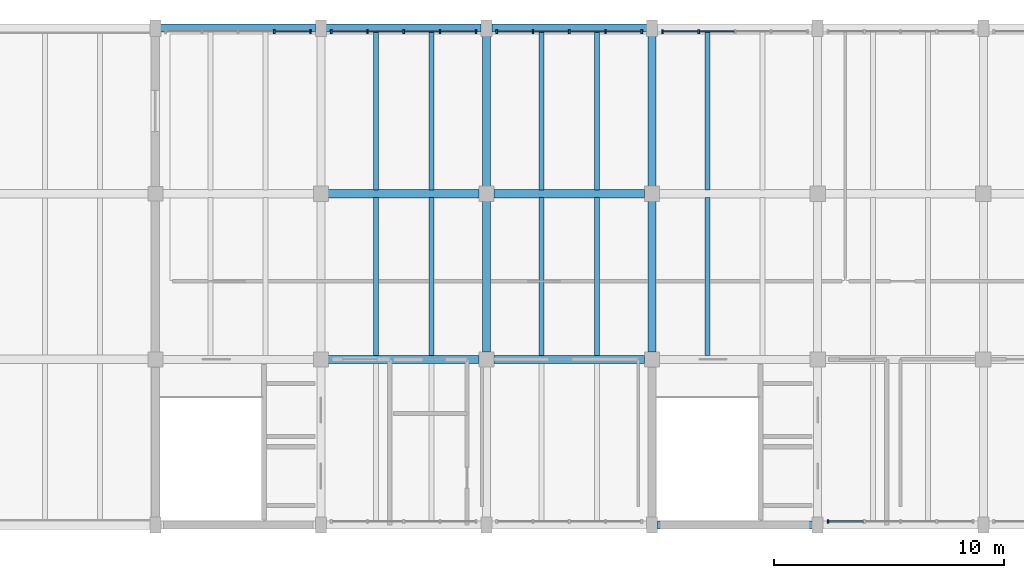
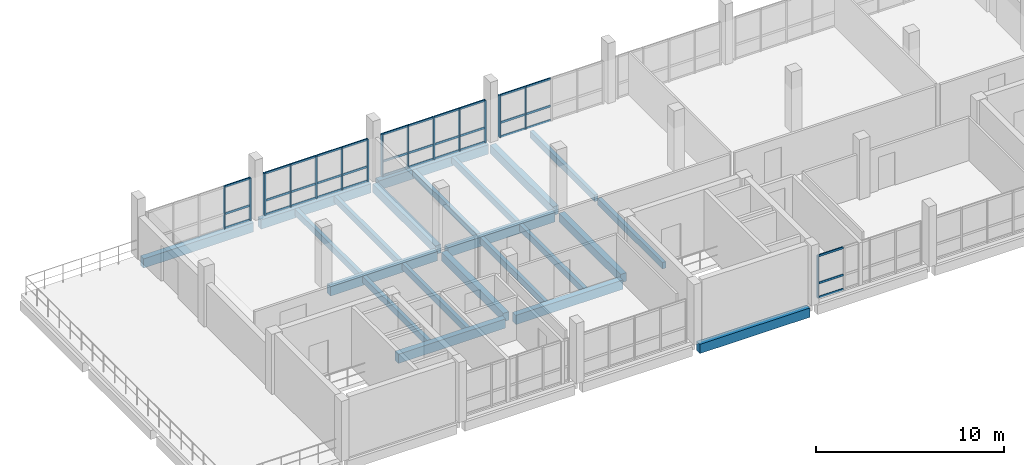
# One storey, part 3 of 10: 51 members, 22 beams, 5 elements without a shape of their own.
"""IFC4 building model written with IfcOpenShell, lengths in metres."""

from ifc_helpers import new_model, si_unit, direction, frame, origin, origin_2d, place, context, subcontext, project, spatial, rectangle, extrude, material, material_profile, profile_set, type_object, element, aggregate, save


model = new_model("IFC4")

# Units and contexts
model_context = context("Model", 3, precision=1e-05, world=origin(), true_north=direction((0.0, 1.0)))
body_context = subcontext(model_context, "Body", "Model", "MODEL_VIEW")
ifc_project = project(units=[si_unit("LENGTHUNIT", "METRE"), si_unit("AREAUNIT", "SQUARE_METRE"), si_unit("VOLUMEUNIT", "CUBIC_METRE"), si_unit("PLANEANGLEUNIT", "RADIAN"), si_unit("MASSUNIT", "GRAM", prefix="KILO")], contexts=[model_context])

# Site, building, storey
site_placement = place(None, origin())
site = spatial("IfcSite", under=ifc_project, at=site_placement, CompositionType="ELEMENT")
building_placement = place(site_placement, origin())
building = spatial("IfcBuilding", under=site, at=building_placement, Name="Qiaolan Assembly House", CompositionType="ELEMENT")
storey_placement = place(building_placement, frame((0.0, 0.0, 30.300048828125)))
storey = spatial("IfcBuildingStorey", under=building, at=storey_placement, Name="L07", CompositionType="ELEMENT", Elevation=30.300048828125)

# Beams
ifc_material_1 = material(Name="Concrete C40/50", Category="concrete")
ifc_material_profile_1 = material_profile(ifc_material_1, rectangle(XDim=0.35009765625, YDim=0.550048828125, at=origin_2d()), Name="RCB 350x550")
ifc_profile_set_1 = profile_set([ifc_material_profile_1], Name="Concrete C40/50")
beam_type_1 = type_object("IfcBeamType", Name="BM-RC-350x550", PredefinedType="BEAM", material=ifc_profile_set_1)
beam_1_placement = place(storey_placement, frame((57.60009765625, 101.1201171875, -0.505126953125), z_axis=(0.0, 1.0, 0.0), x_axis=(-1.0, 0.0, 0.0)))
element("IfcBeam", 1, at=beam_1_placement, inside=storey, type_object=beam_type_1, Name="GB-09 beam BMY-NW-L07-02-01", PredefinedType="BEAM", context=body_context, shape_type="SweptSolid", body=[
    extrude(rectangle(XDim=0.35009765625, YDim=0.550048828125, at=origin_2d()), origin(), (0.0, 0.0, 1.0), 6.559814453125),
])
beam_2_placement = place(storey_placement, frame((57.60009765625, 108.320068359375, -0.505126953125), z_axis=(0.0, 1.0, 0.0), x_axis=(-1.0, 0.0, 0.0)))
element("IfcBeam", 2, at=beam_2_placement, inside=storey, type_object=beam_type_1, Name="GB-09 beam BMY-NW-L07-02-02", PredefinedType="BEAM", context=body_context, shape_type="SweptSolid", body=[
    extrude(rectangle(XDim=0.35009765625, YDim=0.550048828125, at=origin_2d()), origin(), (0.0, 0.0, 1.0), 6.64990234375),
])
beam_3_placement = place(storey_placement, frame((64.800048828125, 101.1201171875, -0.505126953125), z_axis=(0.0, 1.0, 0.0), x_axis=(-1.0, 0.0, 0.0)))
element("IfcBeam", 3, at=beam_3_placement, inside=storey, type_object=beam_type_1, Name="GB-09 beam BMY-NW-L07-03-01", PredefinedType="BEAM", context=body_context, shape_type="SweptSolid", body=[
    extrude(rectangle(XDim=0.35009765625, YDim=0.550048828125, at=origin_2d()), origin(), (0.0, 0.0, 1.0), 6.559814453125),
])
beam_4_placement = place(storey_placement, frame((64.800048828125, 108.320068359375, -0.505126953125), z_axis=(0.0, 1.0, 0.0), x_axis=(-1.0, 0.0, 0.0)))
element("IfcBeam", 4, at=beam_4_placement, inside=storey, type_object=beam_type_1, Name="GB-09 beam BMY-NW-L07-03-02", PredefinedType="BEAM", context=body_context, shape_type="SweptSolid", body=[
    extrude(rectangle(XDim=0.35009765625, YDim=0.550048828125, at=origin_2d()), origin(), (0.0, 0.0, 1.0), 6.64990234375),
])
ifc_material_profile_2 = material_profile(ifc_material_1, rectangle(XDim=0.35009765625, YDim=0.60009765625, at=origin_2d()), Name="RCB 350x600")
ifc_profile_set_2 = profile_set([ifc_material_profile_2], Name="Concrete C40/50")
beam_type_2 = type_object("IfcBeamType", Name="BM-RC-350x600", PredefinedType="BEAM", material=ifc_profile_set_2)
beam_5_placement = place(storey_placement, frame((65.030029296875, 93.60009765625, -0.530029296875), z_axis=(1.0, 0.0, 0.0), x_axis=(0.0, 1.0, 0.0)))
element("IfcBeam", 5, at=beam_5_placement, inside=storey, type_object=beam_type_2, Name="GB-08 beam BMX-NW-L07-03-00", PredefinedType="BEAM", context=body_context, shape_type="SweptSolid", body=[
    extrude(rectangle(XDim=0.35009765625, YDim=0.60009765625, at=origin_2d()), origin(), (0.0, 0.0, 1.0), 6.739990234375),
])
for number, where, z_axis, x_axis, name in (
    (6, (50.719970703125, 100.800048828125, -0.530029296875), (1.0, 0.0, 0.0), (0.0, 1.0, 0.0), "GB-08 beam BMX-NW-L07-01-01"),
    (7, (57.919921875, 100.800048828125, -0.530029296875), (1.0, 0.0, 0.0), (0.0, 1.0, 0.0), "GB-08 beam BMX-NW-L07-02-01"),
    (8, (50.719970703125, 108.0, -0.530029296875), (1.0, 0.0, 0.0), (0.0, 1.0, 0.0), "GB-08 beam BMX-NW-L07-01-02"),
    (9, (57.919921875, 108.0, -0.530029296875), (1.0, 0.0, 0.0), (0.0, 1.0, 0.0), "GB-08 beam BMX-NW-L07-02-02"),
):
    element("IfcBeam", number, at=place(storey_placement, frame(where, z_axis=z_axis, x_axis=x_axis)), inside=storey, type_object=beam_type_2, Name=name, PredefinedType="BEAM", context=body_context, shape_type="SweptSolid", body=[
        extrude(rectangle(XDim=0.35009765625, YDim=0.60009765625, at=origin_2d()), origin(), (0.0, 0.0, 1.0), 6.56005859375),
    ])
beam_6_placement = place(storey_placement, frame((43.429931640625, 115.199951171875, -0.530029296875), z_axis=(1.0, 0.0, 0.0), x_axis=(0.0, 1.0, 0.0)))
element("IfcBeam", 10, at=beam_6_placement, inside=storey, type_object=beam_type_2, Name="GB-08 beam BMX-NW-L07-00-03", PredefinedType="BEAM", context=body_context, shape_type="SweptSolid", body=[
    extrude(rectangle(XDim=0.35009765625, YDim=0.60009765625, at=origin_2d()), origin(), (0.0, 0.0, 1.0), 6.739990234375),
])
beam_7_placement = place(storey_placement, frame((50.6298828125, 115.199951171875, -0.530029296875), z_axis=(1.0, 0.0, 0.0), x_axis=(0.0, 1.0, 0.0)))
element("IfcBeam", 11, at=beam_7_placement, inside=storey, type_object=beam_type_2, Name="GB-08 beam BMX-NW-L07-01-03", PredefinedType="BEAM", context=body_context, shape_type="SweptSolid", body=[
    extrude(rectangle(XDim=0.35009765625, YDim=0.60009765625, at=origin_2d()), origin(), (0.0, 0.0, 1.0), 6.740234375),
])
beam_8_placement = place(storey_placement, frame((57.830078125, 115.199951171875, -0.530029296875), z_axis=(1.0, 0.0, 0.0), x_axis=(0.0, 1.0, 0.0)))
element("IfcBeam", 12, at=beam_8_placement, inside=storey, type_object=beam_type_2, Name="GB-08 beam BMX-NW-L07-02-03", PredefinedType="BEAM", context=body_context, shape_type="SweptSolid", body=[
    extrude(rectangle(XDim=0.35009765625, YDim=0.60009765625, at=origin_2d()), origin(), (0.0, 0.0, 1.0), 6.739990234375),
])

# Curtain wall, members
ifc_material_2 = material(Name="Anodised bronze aluminium", Category="aluminium")
curtain_wall_type = type_object("IfcCurtainWallType", Name="CW-ATTIC-390", PredefinedType="NOTDEFINED", material=ifc_material_2)
curtain_wall_1_placement = place(storey_placement, origin())
curtain_wall_1 = element("IfcCurtainWall", 13, at=curtain_wall_1_placement, inside=storey, type_object=curtain_wall_type, Name="CW-04 NW Attic North glazed colonnade bay 1", PredefinedType="NOTDEFINED")
ifc_material_profile_3 = material_profile(ifc_material_2, rectangle(XDim=0.073974609375, YDim=0.1650390625, at=origin_2d()), Name="MUL 74x165")
ifc_profile_set_3 = profile_set([ifc_material_profile_3], Name="Anodised bronze aluminium")
member_type_1 = type_object("IfcMemberType", Name="CW-ATTIC-390-MUL", PredefinedType="MULLION", material=ifc_profile_set_3)
member_1_placement = place(storey_placement, frame((49.949951171875, 115.050048828125, 0.0), z_axis=(0.0, 0.0, 1.0), x_axis=(-1.0, 0.0, 0.0)))
member_1 = element("IfcMember", 14, at=member_1_placement, type_object=member_type_1, Name="ML-05 mullion CW-NW-ATTIC-N-00-1", PredefinedType="MULLION", context=body_context, shape_type="SweptSolid", body=[
    extrude(rectangle(XDim=0.073974609375, YDim=0.1650390625, at=origin_2d()), origin(), (0.0, 0.0, 1.0), 2.739990234375),
])
member_2_placement = place(storey_placement, frame((48.375, 115.050048828125, 0.0), z_axis=(0.0, 0.0, 1.0), x_axis=(-1.0, 0.0, 0.0)))
member_2 = element("IfcMember", 15, at=member_2_placement, type_object=member_type_1, Name="ML-05 mullion CW-NW-ATTIC-N-00-2", PredefinedType="MULLION", context=body_context, shape_type="SweptSolid", body=[
    extrude(rectangle(XDim=0.073974609375, YDim=0.1650390625, at=origin_2d()), origin(), (0.0, 0.0, 1.0), 2.739990234375),
])

curtain_wall_2_placement = place(storey_placement, origin())
curtain_wall_2 = element("IfcCurtainWall", 16, at=curtain_wall_2_placement, inside=storey, type_object=curtain_wall_type, Name="CW-04 NW Attic North glazed colonnade bay 2", PredefinedType="NOTDEFINED")
member_3_placement = place(storey_placement, frame((57.14990234375, 115.050048828125, 0.0), z_axis=(0.0, 0.0, 1.0), x_axis=(-1.0, 0.0, 0.0)))
member_3 = element("IfcMember", 17, at=member_3_placement, type_object=member_type_1, Name="ML-05 mullion CW-NW-ATTIC-N-01-1", PredefinedType="MULLION", context=body_context, shape_type="SweptSolid", body=[
    extrude(rectangle(XDim=0.073974609375, YDim=0.1650390625, at=origin_2d()), origin(), (0.0, 0.0, 1.0), 2.739990234375),
])
member_4_placement = place(storey_placement, frame((55.574951171875, 115.050048828125, 0.0), z_axis=(0.0, 0.0, 1.0), x_axis=(-1.0, 0.0, 0.0)))
member_4 = element("IfcMember", 18, at=member_4_placement, type_object=member_type_1, Name="ML-05 mullion CW-NW-ATTIC-N-01-2", PredefinedType="MULLION", context=body_context, shape_type="SweptSolid", body=[
    extrude(rectangle(XDim=0.073974609375, YDim=0.1650390625, at=origin_2d()), origin(), (0.0, 0.0, 1.0), 2.739990234375),
])
member_5_placement = place(storey_placement, frame((54.0, 115.050048828125, 0.0), z_axis=(0.0, 0.0, 1.0), x_axis=(-1.0, 0.0, 0.0)))
member_5 = element("IfcMember", 19, at=member_5_placement, type_object=member_type_1, Name="ML-05 mullion CW-NW-ATTIC-N-01-3", PredefinedType="MULLION", context=body_context, shape_type="SweptSolid", body=[
    extrude(rectangle(XDim=0.073974609375, YDim=0.1650390625, at=origin_2d()), origin(), (0.0, 0.0, 1.0), 2.739990234375),
])
member_6_placement = place(storey_placement, frame((52.425048828125, 115.050048828125, 0.0), z_axis=(0.0, 0.0, 1.0), x_axis=(-1.0, 0.0, 0.0)))
member_6 = element("IfcMember", 20, at=member_6_placement, type_object=member_type_1, Name="ML-05 mullion CW-NW-ATTIC-N-01-4", PredefinedType="MULLION", context=body_context, shape_type="SweptSolid", body=[
    extrude(rectangle(XDim=0.073974609375, YDim=0.1650390625, at=origin_2d()), origin(), (0.0, 0.0, 1.0), 2.739990234375),
])
member_7_placement = place(storey_placement, frame((50.85009765625, 115.050048828125, 0.0), z_axis=(0.0, 0.0, 1.0), x_axis=(-1.0, 0.0, 0.0)))
member_7 = element("IfcMember", 21, at=member_7_placement, type_object=member_type_1, Name="ML-05 mullion CW-NW-ATTIC-N-01-5", PredefinedType="MULLION", context=body_context, shape_type="SweptSolid", body=[
    extrude(rectangle(XDim=0.073974609375, YDim=0.1650390625, at=origin_2d()), origin(), (0.0, 0.0, 1.0), 2.739990234375),
])

curtain_wall_3_placement = place(storey_placement, origin())
curtain_wall_3 = element("IfcCurtainWall", 22, at=curtain_wall_3_placement, inside=storey, type_object=curtain_wall_type, Name="CW-04 NW Attic North glazed colonnade bay 3", PredefinedType="NOTDEFINED")
member_8_placement = place(storey_placement, frame((64.35009765625, 115.050048828125, 0.0), z_axis=(0.0, 0.0, 1.0), x_axis=(-1.0, 0.0, 0.0)))
member_8 = element("IfcMember", 23, at=member_8_placement, type_object=member_type_1, Name="ML-05 mullion CW-NW-ATTIC-N-02-1", PredefinedType="MULLION", context=body_context, shape_type="SweptSolid", body=[
    extrude(rectangle(XDim=0.073974609375, YDim=0.1650390625, at=origin_2d()), origin(), (0.0, 0.0, 1.0), 2.739990234375),
])
member_9_placement = place(storey_placement, frame((62.77490234375, 115.050048828125, 0.0), z_axis=(0.0, 0.0, 1.0), x_axis=(-1.0, 0.0, 0.0)))
member_9 = element("IfcMember", 24, at=member_9_placement, type_object=member_type_1, Name="ML-05 mullion CW-NW-ATTIC-N-02-2", PredefinedType="MULLION", context=body_context, shape_type="SweptSolid", body=[
    extrude(rectangle(XDim=0.073974609375, YDim=0.1650390625, at=origin_2d()), origin(), (0.0, 0.0, 1.0), 2.739990234375),
])
member_10_placement = place(storey_placement, frame((61.199951171875, 115.050048828125, 0.0), z_axis=(0.0, 0.0, 1.0), x_axis=(-1.0, 0.0, 0.0)))
member_10 = element("IfcMember", 25, at=member_10_placement, type_object=member_type_1, Name="ML-05 mullion CW-NW-ATTIC-N-02-3", PredefinedType="MULLION", context=body_context, shape_type="SweptSolid", body=[
    extrude(rectangle(XDim=0.073974609375, YDim=0.1650390625, at=origin_2d()), origin(), (0.0, 0.0, 1.0), 2.739990234375),
])
member_11_placement = place(storey_placement, frame((59.625, 115.050048828125, 0.0), z_axis=(0.0, 0.0, 1.0), x_axis=(-1.0, 0.0, 0.0)))
member_11 = element("IfcMember", 26, at=member_11_placement, type_object=member_type_1, Name="ML-05 mullion CW-NW-ATTIC-N-02-4", PredefinedType="MULLION", context=body_context, shape_type="SweptSolid", body=[
    extrude(rectangle(XDim=0.073974609375, YDim=0.1650390625, at=origin_2d()), origin(), (0.0, 0.0, 1.0), 2.739990234375),
])
member_12_placement = place(storey_placement, frame((58.050048828125, 115.050048828125, 0.0), z_axis=(0.0, 0.0, 1.0), x_axis=(-1.0, 0.0, 0.0)))
member_12 = element("IfcMember", 27, at=member_12_placement, type_object=member_type_1, Name="ML-05 mullion CW-NW-ATTIC-N-02-5", PredefinedType="MULLION", context=body_context, shape_type="SweptSolid", body=[
    extrude(rectangle(XDim=0.073974609375, YDim=0.1650390625, at=origin_2d()), origin(), (0.0, 0.0, 1.0), 2.739990234375),
])

curtain_wall_4_placement = place(storey_placement, origin())
curtain_wall_4 = element("IfcCurtainWall", 28, at=curtain_wall_4_placement, inside=storey, type_object=curtain_wall_type, Name="CW-04 NW Attic North glazed colonnade bay 4", PredefinedType="NOTDEFINED")
member_13_placement = place(storey_placement, frame((66.824951171875, 115.050048828125, 0.0), z_axis=(0.0, 0.0, 1.0), x_axis=(-1.0, 0.0, 0.0)))
member_13 = element("IfcMember", 29, at=member_13_placement, type_object=member_type_1, Name="ML-05 mullion CW-NW-ATTIC-N-03-4", PredefinedType="MULLION", context=body_context, shape_type="SweptSolid", body=[
    extrude(rectangle(XDim=0.073974609375, YDim=0.1650390625, at=origin_2d()), origin(), (0.0, 0.0, 1.0), 2.739990234375),
])
member_14_placement = place(storey_placement, frame((65.25, 115.050048828125, 0.0), z_axis=(0.0, 0.0, 1.0), x_axis=(-1.0, 0.0, 0.0)))
member_14 = element("IfcMember", 30, at=member_14_placement, type_object=member_type_1, Name="ML-05 mullion CW-NW-ATTIC-N-03-5", PredefinedType="MULLION", context=body_context, shape_type="SweptSolid", body=[
    extrude(rectangle(XDim=0.073974609375, YDim=0.1650390625, at=origin_2d()), origin(), (0.0, 0.0, 1.0), 2.739990234375),
])

# Curtain wall, member
curtain_wall_5_placement = place(storey_placement, origin())
curtain_wall_5 = element("IfcCurtainWall", 31, at=curtain_wall_5_placement, inside=storey, type_object=curtain_wall_type, Name="CW-04 NW Attic South glazed colonnade bay 5", PredefinedType="NOTDEFINED")
member_15_placement = place(storey_placement, frame((72.449951171875, 93.75, 0.0), z_axis=(0.0, 0.0, 1.0), x_axis=(1.0, 0.0, 0.0)))
member_15 = element("IfcMember", 32, at=member_15_placement, type_object=member_type_1, Name="ML-05 mullion CW-NW-ATTIC-S-04-1", PredefinedType="MULLION", context=body_context, shape_type="SweptSolid", body=[
    extrude(rectangle(XDim=0.073974609375, YDim=0.1650390625, at=origin_2d()), origin(), (0.0, 0.0, 1.0), 2.739990234375),
])

# Member
ifc_material_profile_4 = material_profile(ifc_material_2, rectangle(XDim=0.06494140625, YDim=0.1298828125, at=origin_2d()), Name="TRN 65x130")
ifc_profile_set_4 = profile_set([ifc_material_profile_4], Name="Anodised bronze aluminium")
member_type_2 = type_object("IfcMemberType", Name="CW-ATTIC-390-TRN", PredefinedType="USERDEFINED", material=ifc_profile_set_4)
member_16_placement = place(storey_placement, frame((49.9130859375, 115.050048828125, 0.030029296875), z_axis=(-1.0, 0.0, 0.0), x_axis=(0.0, -1.0, 0.0)))
member_16 = element("IfcMember", 33, at=member_16_placement, type_object=member_type_2, Name="TR-05 transom CW-NW-ATTIC-N-00-1-1", ObjectType="TRANSOM", PredefinedType="USERDEFINED", context=body_context, shape_type="SweptSolid", body=[
    extrude(rectangle(XDim=0.06494140625, YDim=0.1298828125, at=origin_2d()), origin(), (0.0, 0.0, 1.0), 1.5009765625),
])

member_17_placement = place(storey_placement, frame((49.9130859375, 115.050048828125, 0.949951171875), z_axis=(-1.0, 0.0, 0.0), x_axis=(0.0, -1.0, 0.0)))
member_17 = element("IfcMember", 34, at=member_17_placement, type_object=member_type_2, Name="TR-05 transom CW-NW-ATTIC-N-00-1-2", ObjectType="TRANSOM", PredefinedType="USERDEFINED", context=body_context, shape_type="SweptSolid", body=[
    extrude(rectangle(XDim=0.06494140625, YDim=0.1298828125, at=origin_2d()), origin(), (0.0, 0.0, 1.0), 1.5009765625),
])

member_18_placement = place(storey_placement, frame((49.9130859375, 115.050048828125, 2.7099609375), z_axis=(-1.0, 0.0, 0.0), x_axis=(0.0, -1.0, 0.0)))
member_18 = element("IfcMember", 35, at=member_18_placement, type_object=member_type_2, Name="TR-05 transom CW-NW-ATTIC-N-00-1-3", ObjectType="TRANSOM", PredefinedType="USERDEFINED", context=body_context, shape_type="SweptSolid", body=[
    extrude(rectangle(XDim=0.06494140625, YDim=0.1298828125, at=origin_2d()), origin(), (0.0, 0.0, 1.0), 1.5009765625),
])

aggregate(curtain_wall_1, [member_1, member_2, member_16, member_17, member_18])

member_19_placement = place(storey_placement, frame((57.113037109375, 115.050048828125, 0.030029296875), z_axis=(-1.0, 0.0, 0.0), x_axis=(0.0, -1.0, 0.0)))
member_19 = element("IfcMember", 36, at=member_19_placement, type_object=member_type_2, Name="TR-05 transom CW-NW-ATTIC-N-01-1-1", ObjectType="TRANSOM", PredefinedType="USERDEFINED", context=body_context, shape_type="SweptSolid", body=[
    extrude(rectangle(XDim=0.06494140625, YDim=0.1298828125, at=origin_2d()), origin(), (0.0, 0.0, 1.0), 1.5009765625),
])

member_20_placement = place(storey_placement, frame((57.113037109375, 115.050048828125, 0.949951171875), z_axis=(-1.0, 0.0, 0.0), x_axis=(0.0, -1.0, 0.0)))
member_20 = element("IfcMember", 37, at=member_20_placement, type_object=member_type_2, Name="TR-05 transom CW-NW-ATTIC-N-01-1-2", ObjectType="TRANSOM", PredefinedType="USERDEFINED", context=body_context, shape_type="SweptSolid", body=[
    extrude(rectangle(XDim=0.06494140625, YDim=0.1298828125, at=origin_2d()), origin(), (0.0, 0.0, 1.0), 1.5009765625),
])

member_21_placement = place(storey_placement, frame((57.113037109375, 115.050048828125, 2.7099609375), z_axis=(-1.0, 0.0, 0.0), x_axis=(0.0, -1.0, 0.0)))
member_21 = element("IfcMember", 38, at=member_21_placement, type_object=member_type_2, Name="TR-05 transom CW-NW-ATTIC-N-01-1-3", ObjectType="TRANSOM", PredefinedType="USERDEFINED", context=body_context, shape_type="SweptSolid", body=[
    extrude(rectangle(XDim=0.06494140625, YDim=0.1298828125, at=origin_2d()), origin(), (0.0, 0.0, 1.0), 1.5009765625),
])

member_22_placement = place(storey_placement, frame((55.5380859375, 115.050048828125, 0.030029296875), z_axis=(-1.0, 0.0, 0.0), x_axis=(0.0, -1.0, 0.0)))
member_22 = element("IfcMember", 39, at=member_22_placement, type_object=member_type_2, Name="TR-05 transom CW-NW-ATTIC-N-01-2-1", ObjectType="TRANSOM", PredefinedType="USERDEFINED", context=body_context, shape_type="SweptSolid", body=[
    extrude(rectangle(XDim=0.06494140625, YDim=0.1298828125, at=origin_2d()), origin(), (0.0, 0.0, 1.0), 1.5009765625),
])

member_23_placement = place(storey_placement, frame((55.5380859375, 115.050048828125, 0.949951171875), z_axis=(-1.0, 0.0, 0.0), x_axis=(0.0, -1.0, 0.0)))
member_23 = element("IfcMember", 40, at=member_23_placement, type_object=member_type_2, Name="TR-05 transom CW-NW-ATTIC-N-01-2-2", ObjectType="TRANSOM", PredefinedType="USERDEFINED", context=body_context, shape_type="SweptSolid", body=[
    extrude(rectangle(XDim=0.06494140625, YDim=0.1298828125, at=origin_2d()), origin(), (0.0, 0.0, 1.0), 1.5009765625),
])

member_24_placement = place(storey_placement, frame((55.5380859375, 115.050048828125, 2.7099609375), z_axis=(-1.0, 0.0, 0.0), x_axis=(0.0, -1.0, 0.0)))
member_24 = element("IfcMember", 41, at=member_24_placement, type_object=member_type_2, Name="TR-05 transom CW-NW-ATTIC-N-01-2-3", ObjectType="TRANSOM", PredefinedType="USERDEFINED", context=body_context, shape_type="SweptSolid", body=[
    extrude(rectangle(XDim=0.06494140625, YDim=0.1298828125, at=origin_2d()), origin(), (0.0, 0.0, 1.0), 1.5009765625),
])

member_25_placement = place(storey_placement, frame((53.962890625, 115.050048828125, 0.030029296875), z_axis=(-1.0, 0.0, 0.0), x_axis=(0.0, -1.0, 0.0)))
member_25 = element("IfcMember", 42, at=member_25_placement, type_object=member_type_2, Name="TR-05 transom CW-NW-ATTIC-N-01-3-1", ObjectType="TRANSOM", PredefinedType="USERDEFINED", context=body_context, shape_type="SweptSolid", body=[
    extrude(rectangle(XDim=0.06494140625, YDim=0.1298828125, at=origin_2d()), origin(), (0.0, 0.0, 1.0), 1.5009765625),
])

member_26_placement = place(storey_placement, frame((53.962890625, 115.050048828125, 0.949951171875), z_axis=(-1.0, 0.0, 0.0), x_axis=(0.0, -1.0, 0.0)))
member_26 = element("IfcMember", 43, at=member_26_placement, type_object=member_type_2, Name="TR-05 transom CW-NW-ATTIC-N-01-3-2", ObjectType="TRANSOM", PredefinedType="USERDEFINED", context=body_context, shape_type="SweptSolid", body=[
    extrude(rectangle(XDim=0.06494140625, YDim=0.1298828125, at=origin_2d()), origin(), (0.0, 0.0, 1.0), 1.5009765625),
])

member_27_placement = place(storey_placement, frame((53.962890625, 115.050048828125, 2.7099609375), z_axis=(-1.0, 0.0, 0.0), x_axis=(0.0, -1.0, 0.0)))
member_27 = element("IfcMember", 44, at=member_27_placement, type_object=member_type_2, Name="TR-05 transom CW-NW-ATTIC-N-01-3-3", ObjectType="TRANSOM", PredefinedType="USERDEFINED", context=body_context, shape_type="SweptSolid", body=[
    extrude(rectangle(XDim=0.06494140625, YDim=0.1298828125, at=origin_2d()), origin(), (0.0, 0.0, 1.0), 1.5009765625),
])

member_28_placement = place(storey_placement, frame((52.387939453125, 115.050048828125, 0.030029296875), z_axis=(-1.0, 0.0, 0.0), x_axis=(0.0, -1.0, 0.0)))
member_28 = element("IfcMember", 45, at=member_28_placement, type_object=member_type_2, Name="TR-05 transom CW-NW-ATTIC-N-01-4-1", ObjectType="TRANSOM", PredefinedType="USERDEFINED", context=body_context, shape_type="SweptSolid", body=[
    extrude(rectangle(XDim=0.06494140625, YDim=0.1298828125, at=origin_2d()), origin(), (0.0, 0.0, 1.0), 1.5009765625),
])

member_29_placement = place(storey_placement, frame((52.387939453125, 115.050048828125, 0.949951171875), z_axis=(-1.0, 0.0, 0.0), x_axis=(0.0, -1.0, 0.0)))
member_29 = element("IfcMember", 46, at=member_29_placement, type_object=member_type_2, Name="TR-05 transom CW-NW-ATTIC-N-01-4-2", ObjectType="TRANSOM", PredefinedType="USERDEFINED", context=body_context, shape_type="SweptSolid", body=[
    extrude(rectangle(XDim=0.06494140625, YDim=0.1298828125, at=origin_2d()), origin(), (0.0, 0.0, 1.0), 1.5009765625),
])

member_30_placement = place(storey_placement, frame((52.387939453125, 115.050048828125, 2.7099609375), z_axis=(-1.0, 0.0, 0.0), x_axis=(0.0, -1.0, 0.0)))
member_30 = element("IfcMember", 47, at=member_30_placement, type_object=member_type_2, Name="TR-05 transom CW-NW-ATTIC-N-01-4-3", ObjectType="TRANSOM", PredefinedType="USERDEFINED", context=body_context, shape_type="SweptSolid", body=[
    extrude(rectangle(XDim=0.06494140625, YDim=0.1298828125, at=origin_2d()), origin(), (0.0, 0.0, 1.0), 1.5009765625),
])

aggregate(curtain_wall_2, [member_3, member_4, member_5, member_6, member_7, member_19, member_20, member_21, member_22, member_23, member_24, member_25, member_26, member_27, member_28, member_29, member_30])

member_31_placement = place(storey_placement, frame((64.31298828125, 115.050048828125, 0.030029296875), z_axis=(-1.0, 0.0, 0.0), x_axis=(0.0, -1.0, 0.0)))
member_31 = element("IfcMember", 48, at=member_31_placement, type_object=member_type_2, Name="TR-05 transom CW-NW-ATTIC-N-02-1-1", ObjectType="TRANSOM", PredefinedType="USERDEFINED", context=body_context, shape_type="SweptSolid", body=[
    extrude(rectangle(XDim=0.06494140625, YDim=0.1298828125, at=origin_2d()), origin(), (0.0, 0.0, 1.0), 1.5009765625),
])

member_32_placement = place(storey_placement, frame((64.31298828125, 115.050048828125, 0.949951171875), z_axis=(-1.0, 0.0, 0.0), x_axis=(0.0, -1.0, 0.0)))
member_32 = element("IfcMember", 49, at=member_32_placement, type_object=member_type_2, Name="TR-05 transom CW-NW-ATTIC-N-02-1-2", ObjectType="TRANSOM", PredefinedType="USERDEFINED", context=body_context, shape_type="SweptSolid", body=[
    extrude(rectangle(XDim=0.06494140625, YDim=0.1298828125, at=origin_2d()), origin(), (0.0, 0.0, 1.0), 1.5009765625),
])

member_33_placement = place(storey_placement, frame((64.31298828125, 115.050048828125, 2.7099609375), z_axis=(-1.0, 0.0, 0.0), x_axis=(0.0, -1.0, 0.0)))
member_33 = element("IfcMember", 50, at=member_33_placement, type_object=member_type_2, Name="TR-05 transom CW-NW-ATTIC-N-02-1-3", ObjectType="TRANSOM", PredefinedType="USERDEFINED", context=body_context, shape_type="SweptSolid", body=[
    extrude(rectangle(XDim=0.06494140625, YDim=0.1298828125, at=origin_2d()), origin(), (0.0, 0.0, 1.0), 1.5009765625),
])

member_34_placement = place(storey_placement, frame((62.738037109375, 115.050048828125, 0.030029296875), z_axis=(-1.0, 0.0, 0.0), x_axis=(0.0, -1.0, 0.0)))
member_34 = element("IfcMember", 51, at=member_34_placement, type_object=member_type_2, Name="TR-05 transom CW-NW-ATTIC-N-02-2-1", ObjectType="TRANSOM", PredefinedType="USERDEFINED", context=body_context, shape_type="SweptSolid", body=[
    extrude(rectangle(XDim=0.06494140625, YDim=0.1298828125, at=origin_2d()), origin(), (0.0, 0.0, 1.0), 1.5009765625),
])

member_35_placement = place(storey_placement, frame((62.738037109375, 115.050048828125, 0.949951171875), z_axis=(-1.0, 0.0, 0.0), x_axis=(0.0, -1.0, 0.0)))
member_35 = element("IfcMember", 52, at=member_35_placement, type_object=member_type_2, Name="TR-05 transom CW-NW-ATTIC-N-02-2-2", ObjectType="TRANSOM", PredefinedType="USERDEFINED", context=body_context, shape_type="SweptSolid", body=[
    extrude(rectangle(XDim=0.06494140625, YDim=0.1298828125, at=origin_2d()), origin(), (0.0, 0.0, 1.0), 1.5009765625),
])

member_36_placement = place(storey_placement, frame((62.738037109375, 115.050048828125, 2.7099609375), z_axis=(-1.0, 0.0, 0.0), x_axis=(0.0, -1.0, 0.0)))
member_36 = element("IfcMember", 53, at=member_36_placement, type_object=member_type_2, Name="TR-05 transom CW-NW-ATTIC-N-02-2-3", ObjectType="TRANSOM", PredefinedType="USERDEFINED", context=body_context, shape_type="SweptSolid", body=[
    extrude(rectangle(XDim=0.06494140625, YDim=0.1298828125, at=origin_2d()), origin(), (0.0, 0.0, 1.0), 1.5009765625),
])

member_37_placement = place(storey_placement, frame((61.1630859375, 115.050048828125, 0.030029296875), z_axis=(-1.0, 0.0, 0.0), x_axis=(0.0, -1.0, 0.0)))
member_37 = element("IfcMember", 54, at=member_37_placement, type_object=member_type_2, Name="TR-05 transom CW-NW-ATTIC-N-02-3-1", ObjectType="TRANSOM", PredefinedType="USERDEFINED", context=body_context, shape_type="SweptSolid", body=[
    extrude(rectangle(XDim=0.06494140625, YDim=0.1298828125, at=origin_2d()), origin(), (0.0, 0.0, 1.0), 1.5009765625),
])

member_38_placement = place(storey_placement, frame((61.1630859375, 115.050048828125, 0.949951171875), z_axis=(-1.0, 0.0, 0.0), x_axis=(0.0, -1.0, 0.0)))
member_38 = element("IfcMember", 55, at=member_38_placement, type_object=member_type_2, Name="TR-05 transom CW-NW-ATTIC-N-02-3-2", ObjectType="TRANSOM", PredefinedType="USERDEFINED", context=body_context, shape_type="SweptSolid", body=[
    extrude(rectangle(XDim=0.06494140625, YDim=0.1298828125, at=origin_2d()), origin(), (0.0, 0.0, 1.0), 1.5009765625),
])

member_39_placement = place(storey_placement, frame((61.1630859375, 115.050048828125, 2.7099609375), z_axis=(-1.0, 0.0, 0.0), x_axis=(0.0, -1.0, 0.0)))
member_39 = element("IfcMember", 56, at=member_39_placement, type_object=member_type_2, Name="TR-05 transom CW-NW-ATTIC-N-02-3-3", ObjectType="TRANSOM", PredefinedType="USERDEFINED", context=body_context, shape_type="SweptSolid", body=[
    extrude(rectangle(XDim=0.06494140625, YDim=0.1298828125, at=origin_2d()), origin(), (0.0, 0.0, 1.0), 1.5009765625),
])

member_40_placement = place(storey_placement, frame((59.587890625, 115.050048828125, 0.030029296875), z_axis=(-1.0, 0.0, 0.0), x_axis=(0.0, -1.0, 0.0)))
member_40 = element("IfcMember", 57, at=member_40_placement, type_object=member_type_2, Name="TR-05 transom CW-NW-ATTIC-N-02-4-1", ObjectType="TRANSOM", PredefinedType="USERDEFINED", context=body_context, shape_type="SweptSolid", body=[
    extrude(rectangle(XDim=0.06494140625, YDim=0.1298828125, at=origin_2d()), origin(), (0.0, 0.0, 1.0), 1.5009765625),
])

member_41_placement = place(storey_placement, frame((59.587890625, 115.050048828125, 0.949951171875), z_axis=(-1.0, 0.0, 0.0), x_axis=(0.0, -1.0, 0.0)))
member_41 = element("IfcMember", 58, at=member_41_placement, type_object=member_type_2, Name="TR-05 transom CW-NW-ATTIC-N-02-4-2", ObjectType="TRANSOM", PredefinedType="USERDEFINED", context=body_context, shape_type="SweptSolid", body=[
    extrude(rectangle(XDim=0.06494140625, YDim=0.1298828125, at=origin_2d()), origin(), (0.0, 0.0, 1.0), 1.5009765625),
])

member_42_placement = place(storey_placement, frame((59.587890625, 115.050048828125, 2.7099609375), z_axis=(-1.0, 0.0, 0.0), x_axis=(0.0, -1.0, 0.0)))
member_42 = element("IfcMember", 59, at=member_42_placement, type_object=member_type_2, Name="TR-05 transom CW-NW-ATTIC-N-02-4-3", ObjectType="TRANSOM", PredefinedType="USERDEFINED", context=body_context, shape_type="SweptSolid", body=[
    extrude(rectangle(XDim=0.06494140625, YDim=0.1298828125, at=origin_2d()), origin(), (0.0, 0.0, 1.0), 1.5009765625),
])

aggregate(curtain_wall_3, [member_8, member_9, member_10, member_11, member_12, member_31, member_32, member_33, member_34, member_35, member_36, member_37, member_38, member_39, member_40, member_41, member_42])

member_43_placement = place(storey_placement, frame((68.363037109375, 115.050048828125, 0.030029296875), z_axis=(-1.0, 0.0, 0.0), x_axis=(0.0, -1.0, 0.0)))
member_43 = element("IfcMember", 60, at=member_43_placement, type_object=member_type_2, Name="TR-05 transom CW-NW-ATTIC-N-03-3-1", ObjectType="TRANSOM", PredefinedType="USERDEFINED", context=body_context, shape_type="SweptSolid", body=[
    extrude(rectangle(XDim=0.06494140625, YDim=0.1298828125, at=origin_2d()), origin(), (0.0, 0.0, 1.0), 1.5009765625),
])

member_44_placement = place(storey_placement, frame((68.363037109375, 115.050048828125, 0.949951171875), z_axis=(-1.0, 0.0, 0.0), x_axis=(0.0, -1.0, 0.0)))
member_44 = element("IfcMember", 61, at=member_44_placement, type_object=member_type_2, Name="TR-05 transom CW-NW-ATTIC-N-03-3-2", ObjectType="TRANSOM", PredefinedType="USERDEFINED", context=body_context, shape_type="SweptSolid", body=[
    extrude(rectangle(XDim=0.06494140625, YDim=0.1298828125, at=origin_2d()), origin(), (0.0, 0.0, 1.0), 1.5009765625),
])

member_45_placement = place(storey_placement, frame((68.363037109375, 115.050048828125, 2.7099609375), z_axis=(-1.0, 0.0, 0.0), x_axis=(0.0, -1.0, 0.0)))
member_45 = element("IfcMember", 62, at=member_45_placement, type_object=member_type_2, Name="TR-05 transom CW-NW-ATTIC-N-03-3-3", ObjectType="TRANSOM", PredefinedType="USERDEFINED", context=body_context, shape_type="SweptSolid", body=[
    extrude(rectangle(XDim=0.06494140625, YDim=0.1298828125, at=origin_2d()), origin(), (0.0, 0.0, 1.0), 1.5009765625),
])

member_46_placement = place(storey_placement, frame((66.7880859375, 115.050048828125, 0.030029296875), z_axis=(-1.0, 0.0, 0.0), x_axis=(0.0, -1.0, 0.0)))
member_46 = element("IfcMember", 63, at=member_46_placement, type_object=member_type_2, Name="TR-05 transom CW-NW-ATTIC-N-03-4-1", ObjectType="TRANSOM", PredefinedType="USERDEFINED", context=body_context, shape_type="SweptSolid", body=[
    extrude(rectangle(XDim=0.06494140625, YDim=0.1298828125, at=origin_2d()), origin(), (0.0, 0.0, 1.0), 1.5009765625),
])

member_47_placement = place(storey_placement, frame((66.7880859375, 115.050048828125, 0.949951171875), z_axis=(-1.0, 0.0, 0.0), x_axis=(0.0, -1.0, 0.0)))
member_47 = element("IfcMember", 64, at=member_47_placement, type_object=member_type_2, Name="TR-05 transom CW-NW-ATTIC-N-03-4-2", ObjectType="TRANSOM", PredefinedType="USERDEFINED", context=body_context, shape_type="SweptSolid", body=[
    extrude(rectangle(XDim=0.06494140625, YDim=0.1298828125, at=origin_2d()), origin(), (0.0, 0.0, 1.0), 1.5009765625),
])

member_48_placement = place(storey_placement, frame((66.7880859375, 115.050048828125, 2.7099609375), z_axis=(-1.0, 0.0, 0.0), x_axis=(0.0, -1.0, 0.0)))
member_48 = element("IfcMember", 65, at=member_48_placement, type_object=member_type_2, Name="TR-05 transom CW-NW-ATTIC-N-03-4-3", ObjectType="TRANSOM", PredefinedType="USERDEFINED", context=body_context, shape_type="SweptSolid", body=[
    extrude(rectangle(XDim=0.06494140625, YDim=0.1298828125, at=origin_2d()), origin(), (0.0, 0.0, 1.0), 1.5009765625),
])

aggregate(curtain_wall_4, [member_13, member_14, member_43, member_44, member_45, member_46, member_47, member_48])

member_49_placement = place(storey_placement, frame((72.487060546875, 93.75, 0.030029296875), z_axis=(1.0, 0.0, 0.0), x_axis=(0.0, 1.0, 0.0)))
member_49 = element("IfcMember", 66, at=member_49_placement, type_object=member_type_2, Name="TR-05 transom CW-NW-ATTIC-S-04-1-1", ObjectType="TRANSOM", PredefinedType="USERDEFINED", context=body_context, shape_type="SweptSolid", body=[
    extrude(rectangle(XDim=0.06494140625, YDim=0.1298828125, at=origin_2d()), origin(), (0.0, 0.0, 1.0), 1.5009765625),
])

member_50_placement = place(storey_placement, frame((72.487060546875, 93.75, 0.949951171875), z_axis=(1.0, 0.0, 0.0), x_axis=(0.0, 1.0, 0.0)))
member_50 = element("IfcMember", 67, at=member_50_placement, type_object=member_type_2, Name="TR-05 transom CW-NW-ATTIC-S-04-1-2", ObjectType="TRANSOM", PredefinedType="USERDEFINED", context=body_context, shape_type="SweptSolid", body=[
    extrude(rectangle(XDim=0.06494140625, YDim=0.1298828125, at=origin_2d()), origin(), (0.0, 0.0, 1.0), 1.5009765625),
])

member_51_placement = place(storey_placement, frame((72.487060546875, 93.75, 2.7099609375), z_axis=(1.0, 0.0, 0.0), x_axis=(0.0, 1.0, 0.0)))
member_51 = element("IfcMember", 68, at=member_51_placement, type_object=member_type_2, Name="TR-05 transom CW-NW-ATTIC-S-04-1-3", ObjectType="TRANSOM", PredefinedType="USERDEFINED", context=body_context, shape_type="SweptSolid", body=[
    extrude(rectangle(XDim=0.06494140625, YDim=0.1298828125, at=origin_2d()), origin(), (0.0, 0.0, 1.0), 1.5009765625),
])

aggregate(curtain_wall_5, [member_15, member_49, member_50, member_51])

# Beams
ifc_material_profile_5 = material_profile(ifc_material_1, rectangle(XDim=0.219970703125, YDim=0.419921875, at=origin_2d()), Name="RCB 220x420")
ifc_profile_set_5 = profile_set([ifc_material_profile_5], Name="Concrete C40/50")
beam_type_3 = type_object("IfcBeamType", Name="JST-RC-220x420", PredefinedType="JOIST", material=ifc_profile_set_5)
for number, where, z_axis, x_axis, name in (
    (69, (52.800048828125, 100.968994140625, -0.43994140625), (0.0, 1.0, 0.0), (-1.0, 0.0, 0.0), "RJ-03 beam JST-NW-L07-01-01-1"),
    (70, (55.199951171875, 100.968994140625, -0.43994140625), (0.0, 1.0, 0.0), (-1.0, 0.0, 0.0), "RJ-03 beam JST-NW-L07-01-01-2"),
    (71, (52.800048828125, 108.1689453125, -0.43994140625), (0.0, 1.0, 0.0), (-1.0, 0.0, 0.0), "RJ-03 beam JST-NW-L07-01-02-1"),
    (72, (55.199951171875, 108.1689453125, -0.43994140625), (0.0, 1.0, 0.0), (-1.0, 0.0, 0.0), "RJ-03 beam JST-NW-L07-01-02-2"),
    (73, (60.0, 100.968994140625, -0.43994140625), (0.0, 1.0, 0.0), (-1.0, 0.0, 0.0), "RJ-03 beam JST-NW-L07-02-01-1"),
    (74, (62.39990234375, 100.968994140625, -0.43994140625), (0.0, 1.0, 0.0), (-1.0, 0.0, 0.0), "RJ-03 beam JST-NW-L07-02-01-2"),
    (75, (60.0, 108.1689453125, -0.43994140625), (0.0, 1.0, 0.0), (-1.0, 0.0, 0.0), "RJ-03 beam JST-NW-L07-02-02-1"),
    (76, (62.39990234375, 108.1689453125, -0.43994140625), (0.0, 1.0, 0.0), (-1.0, 0.0, 0.0), "RJ-03 beam JST-NW-L07-02-02-2"),
    (77, (67.199951171875, 100.968994140625, -0.43994140625), (0.0, 1.0, 0.0), (-1.0, 0.0, 0.0), "RJ-03 beam JST-NW-L07-03-01-1"),
    (78, (67.199951171875, 108.1689453125, -0.43994140625), (0.0, 1.0, 0.0), (-1.0, 0.0, 0.0), "RJ-03 beam JST-NW-L07-03-02-1"),
):
    element("IfcBeam", number, at=place(storey_placement, frame(where, z_axis=z_axis, x_axis=x_axis)), inside=storey, type_object=beam_type_3, Name=name, PredefinedType="JOIST", context=body_context, shape_type="SweptSolid", body=[
        extrude(rectangle(XDim=0.219970703125, YDim=0.419921875, at=origin_2d()), origin(), (0.0, 0.0, 1.0), 6.862060546875),
    ])

save(model, "model.ifc")
